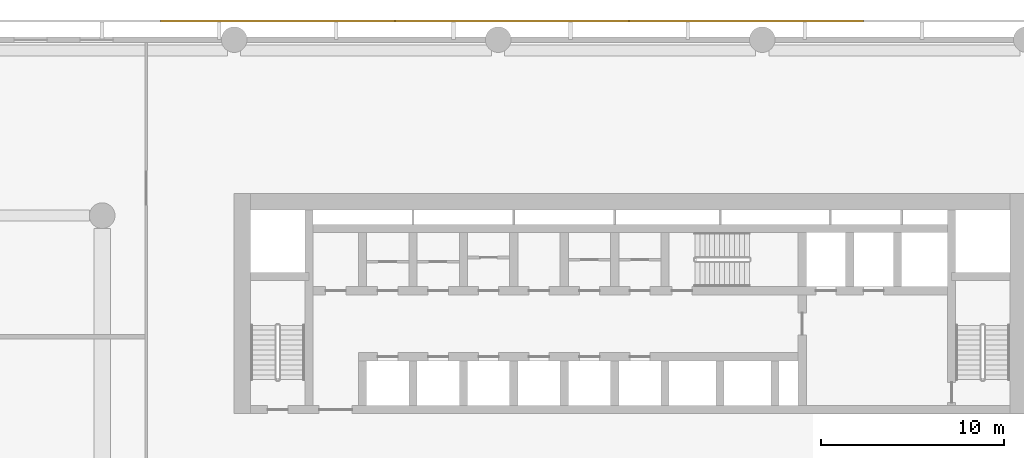
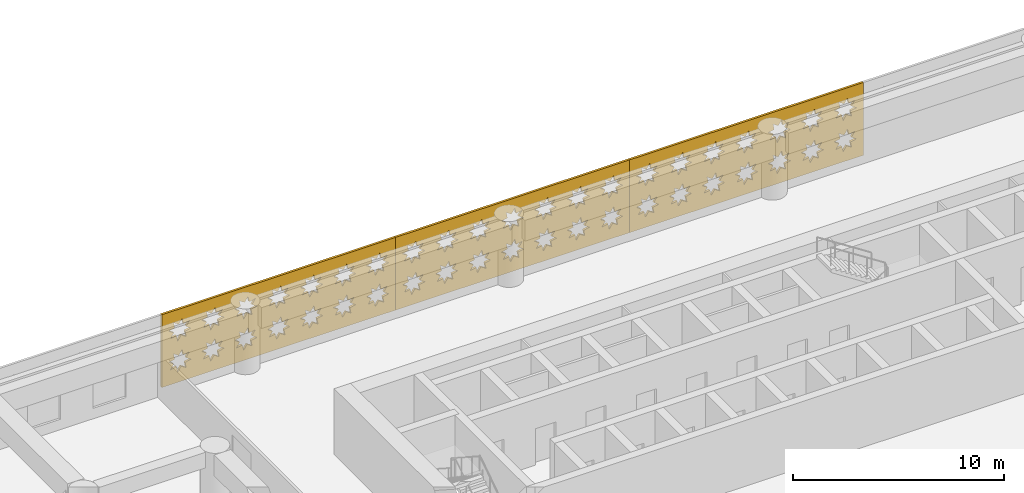
# One storey, part 22 of 24: 3 coverings.
"""IFC4 building model written with IfcOpenShell, lengths in metres."""

from ifc_helpers import new_model, si_unit, direction, frame, origin, place, context, subcontext, project, spatial, polyline, outline, extrude, material, layer, layer_set, type_object, element, save


model = new_model("IFC4")

# Units and contexts
model_context = context("Model", 3, precision=1e-05, world=origin(), true_north=direction((0.0, 1.0)))
body_context = subcontext(model_context, "Body", "Model", "MODEL_VIEW")
ifc_project = project(units=[si_unit("LENGTHUNIT", "METRE"), si_unit("AREAUNIT", "SQUARE_METRE"), si_unit("VOLUMEUNIT", "CUBIC_METRE"), si_unit("PLANEANGLEUNIT", "RADIAN"), si_unit("MASSUNIT", "GRAM", prefix="KILO")], contexts=[model_context])

# Site, building, storey
site_placement = place(None, origin())
site = spatial("IfcSite", under=ifc_project, at=site_placement, CompositionType="ELEMENT")
building_placement = place(site_placement, origin())
building = spatial("IfcBuilding", under=site, at=building_placement, Name="Saffron Iwan Residences", CompositionType="ELEMENT")
storey_placement = place(building_placement, frame((0.0, 0.0, 13.199951171875)))
storey = spatial("IfcBuildingStorey", under=building, at=storey_placement, Name="L02", CompositionType="ELEMENT", Elevation=13.199951171875)

# Coverings
ifc_material = material(Name="Terracotta screen, precast concrete C40/50", Category="masonry")
ifc_layer = layer(ifc_material, 0.1201171875)
ifc_layer_set = layer_set([ifc_layer], Name="Terracotta screen, precast concrete C40/50")
covering_type = type_object("IfcCoveringType", Name="PODIUM SCREEN GIRIH", PredefinedType="CLADDING", material=ifc_layer_set)
covering_1_placement = place(storey_placement, frame((63.117431640625, 87.35009765625, -0.39990234375), z_axis=(0.0, 1.0, 0.0), x_axis=(-1.0, 0.0, 0.0)))
element("IfcCovering", 1, at=covering_1_placement, inside=storey, type_object=covering_type, Name="SCREEN girih terracotta L02 F2.3", PredefinedType="CLADDING", context=body_context, shape_type="SweptSolid", body=[
    extrude(outline(polyline([(0.0, 0.0), (12.777587890625, 0.0), (12.777587890625, 4.199951171875), (0.0, 4.199951171875), (0.0, 0.0)]), holes=[polyline([(1.5966796875, 1.321044921875), (1.271484375, 1.388916015625), (1.333251953125, 1.715576171875), (1.05517578125, 1.533447265625), (0.867919921875, 1.80810546875), (0.7998046875, 1.482666015625), (0.47314453125, 1.54443359375), (0.6552734375, 1.266357421875), (0.380615234375, 1.0791015625), (0.7060546875, 1.010986328125), (0.644287109375, 0.6845703125), (0.92236328125, 0.866455078125), (1.109619140625, 0.591796875), (1.177490234375, 0.917236328125), (1.50439453125, 0.85546875), (1.322265625, 1.1337890625), (1.5966796875, 1.321044921875)]), polyline([(1.5966796875, 3.12109375), (1.271484375, 3.18896484375), (1.333251953125, 3.515380859375), (1.05517578125, 3.33349609375), (0.867919921875, 3.608154296875), (0.7998046875, 3.28271484375), (0.47314453125, 3.344482421875), (0.6552734375, 3.06640625), (0.380615234375, 2.87890625), (0.7060546875, 2.81103515625), (0.644287109375, 2.484619140625), (0.92236328125, 2.66650390625), (1.109619140625, 2.391845703125), (1.177490234375, 2.71728515625), (1.50439453125, 2.655517578125), (1.322265625, 2.93359375), (1.5966796875, 3.12109375)]), polyline([(3.396728515625, 1.321044921875), (3.0712890625, 1.388916015625), (3.13330078125, 1.715576171875), (2.85498046875, 1.533447265625), (2.667724609375, 1.80810546875), (2.599853515625, 1.482666015625), (2.273193359375, 1.54443359375), (2.455322265625, 1.266357421875), (2.1806640625, 1.0791015625), (2.506103515625, 1.010986328125), (2.4443359375, 0.6845703125), (2.722412109375, 0.866455078125), (2.90966796875, 0.591796875), (2.9775390625, 0.917236328125), (3.30419921875, 0.85546875), (3.122314453125, 1.1337890625), (3.396728515625, 1.321044921875)]), polyline([(3.396728515625, 3.12109375), (3.0712890625, 3.18896484375), (3.13330078125, 3.515380859375), (2.85498046875, 3.33349609375), (2.667724609375, 3.608154296875), (2.599853515625, 3.28271484375), (2.273193359375, 3.344482421875), (2.455322265625, 3.06640625), (2.1806640625, 2.87890625), (2.506103515625, 2.81103515625), (2.4443359375, 2.484619140625), (2.722412109375, 2.66650390625), (2.90966796875, 2.391845703125), (2.9775390625, 2.71728515625), (3.30419921875, 2.655517578125), (3.122314453125, 2.93359375), (3.396728515625, 3.12109375)]), polyline([(5.19677734375, 1.321044921875), (4.871337890625, 1.388916015625), (4.93310546875, 1.715576171875), (4.655029296875, 1.533447265625), (4.4677734375, 1.80810546875), (4.39990234375, 1.482666015625), (4.0732421875, 1.54443359375), (4.25537109375, 1.266357421875), (3.980712890625, 1.0791015625), (4.30615234375, 1.010986328125), (4.244384765625, 0.6845703125), (4.5224609375, 0.866455078125), (4.709716796875, 0.591796875), (4.777587890625, 0.917236328125), (5.104248046875, 0.85546875), (4.922119140625, 1.1337890625), (5.19677734375, 1.321044921875)]), polyline([(5.19677734375, 3.12109375), (4.871337890625, 3.18896484375), (4.93310546875, 3.515380859375), (4.655029296875, 3.33349609375), (4.4677734375, 3.608154296875), (4.39990234375, 3.28271484375), (4.0732421875, 3.344482421875), (4.25537109375, 3.06640625), (3.980712890625, 2.87890625), (4.30615234375, 2.81103515625), (4.244384765625, 2.484619140625), (4.5224609375, 2.66650390625), (4.709716796875, 2.391845703125), (4.777587890625, 2.71728515625), (5.104248046875, 2.655517578125), (4.922119140625, 2.93359375), (5.19677734375, 3.12109375)]), polyline([(6.996826171875, 1.321044921875), (6.67138671875, 1.388916015625), (6.733154296875, 1.715576171875), (6.455078125, 1.533447265625), (6.267822265625, 1.80810546875), (6.199951171875, 1.482666015625), (5.873291015625, 1.54443359375), (6.055419921875, 1.266357421875), (5.78076171875, 1.0791015625), (6.106201171875, 1.010986328125), (6.044189453125, 0.6845703125), (6.322509765625, 0.866455078125), (6.509765625, 0.591796875), (6.57763671875, 0.917236328125), (6.904296875, 0.85546875), (6.72216796875, 1.1337890625), (6.996826171875, 1.321044921875)]), polyline([(6.996826171875, 3.12109375), (6.67138671875, 3.18896484375), (6.733154296875, 3.515380859375), (6.455078125, 3.33349609375), (6.267822265625, 3.608154296875), (6.199951171875, 3.28271484375), (5.873291015625, 3.344482421875), (6.055419921875, 3.06640625), (5.78076171875, 2.87890625), (6.106201171875, 2.81103515625), (6.044189453125, 2.484619140625), (6.322509765625, 2.66650390625), (6.509765625, 2.391845703125), (6.57763671875, 2.71728515625), (6.904296875, 2.655517578125), (6.72216796875, 2.93359375), (6.996826171875, 3.12109375)]), polyline([(8.796875, 1.321044921875), (8.471435546875, 1.388916015625), (8.533203125, 1.715576171875), (8.255126953125, 1.533447265625), (8.06787109375, 1.80810546875), (8.0, 1.482666015625), (7.673095703125, 1.54443359375), (7.855224609375, 1.266357421875), (7.580810546875, 1.0791015625), (7.906005859375, 1.010986328125), (7.84423828125, 0.6845703125), (8.122314453125, 0.866455078125), (8.309814453125, 0.591796875), (8.377685546875, 0.917236328125), (8.704345703125, 0.85546875), (8.522216796875, 1.1337890625), (8.796875, 1.321044921875)]), polyline([(8.796875, 3.12109375), (8.471435546875, 3.18896484375), (8.533203125, 3.515380859375), (8.255126953125, 3.33349609375), (8.06787109375, 3.608154296875), (8.0, 3.28271484375), (7.673095703125, 3.344482421875), (7.855224609375, 3.06640625), (7.580810546875, 2.87890625), (7.906005859375, 2.81103515625), (7.84423828125, 2.484619140625), (8.122314453125, 2.66650390625), (8.309814453125, 2.391845703125), (8.377685546875, 2.71728515625), (8.704345703125, 2.655517578125), (8.522216796875, 2.93359375), (8.796875, 3.12109375)]), polyline([(10.5966796875, 1.321044921875), (10.271484375, 1.388916015625), (10.333251953125, 1.715576171875), (10.05517578125, 1.533447265625), (9.867919921875, 1.80810546875), (9.7998046875, 1.482666015625), (9.47314453125, 1.54443359375), (9.6552734375, 1.266357421875), (9.380615234375, 1.0791015625), (9.7060546875, 1.010986328125), (9.644287109375, 0.6845703125), (9.92236328125, 0.866455078125), (10.109619140625, 0.591796875), (10.177490234375, 0.917236328125), (10.50439453125, 0.85546875), (10.322265625, 1.1337890625), (10.5966796875, 1.321044921875)]), polyline([(10.5966796875, 3.12109375), (10.271484375, 3.18896484375), (10.333251953125, 3.515380859375), (10.05517578125, 3.33349609375), (9.867919921875, 3.608154296875), (9.7998046875, 3.28271484375), (9.47314453125, 3.344482421875), (9.6552734375, 3.06640625), (9.380615234375, 2.87890625), (9.7060546875, 2.81103515625), (9.644287109375, 2.484619140625), (9.92236328125, 2.66650390625), (10.109619140625, 2.391845703125), (10.177490234375, 2.71728515625), (10.50439453125, 2.655517578125), (10.322265625, 2.93359375), (10.5966796875, 3.12109375)]), polyline([(12.396728515625, 1.321044921875), (12.0712890625, 1.388916015625), (12.13330078125, 1.715576171875), (11.85498046875, 1.533447265625), (11.667724609375, 1.80810546875), (11.599853515625, 1.482666015625), (11.273193359375, 1.54443359375), (11.455322265625, 1.266357421875), (11.1806640625, 1.0791015625), (11.506103515625, 1.010986328125), (11.4443359375, 0.6845703125), (11.722412109375, 0.866455078125), (11.90966796875, 0.591796875), (11.9775390625, 0.917236328125), (12.30419921875, 0.85546875), (12.122314453125, 1.1337890625), (12.396728515625, 1.321044921875)]), polyline([(12.396728515625, 3.12109375), (12.0712890625, 3.18896484375), (12.13330078125, 3.515380859375), (11.85498046875, 3.33349609375), (11.667724609375, 3.608154296875), (11.599853515625, 3.28271484375), (11.273193359375, 3.344482421875), (11.455322265625, 3.06640625), (11.1806640625, 2.87890625), (11.506103515625, 2.81103515625), (11.4443359375, 2.484619140625), (11.722412109375, 2.66650390625), (11.90966796875, 2.391845703125), (11.9775390625, 2.71728515625), (12.30419921875, 2.655517578125), (12.122314453125, 2.93359375), (12.396728515625, 3.12109375)])]), origin(), (0.0, 0.0, 1.0), 0.119873046875),
])
covering_2_placement = place(storey_placement, frame((50.340087890625, 87.35009765625, -0.39990234375), z_axis=(0.0, 1.0, 0.0), x_axis=(-1.0, 0.0, 0.0)))
element("IfcCovering", 2, at=covering_2_placement, inside=storey, type_object=covering_type, Name="SCREEN girih terracotta L02 F2.4", PredefinedType="CLADDING", context=body_context, shape_type="SweptSolid", body=[
    extrude(outline(polyline([(0.0, 0.0), (12.777587890625, 0.0), (12.777587890625, 4.199951171875), (0.0, 4.199951171875), (0.0, 0.0)]), holes=[polyline([(1.5966796875, 1.321044921875), (1.271484375, 1.388916015625), (1.333251953125, 1.715576171875), (1.05517578125, 1.533447265625), (0.867919921875, 1.80810546875), (0.7998046875, 1.482666015625), (0.47314453125, 1.54443359375), (0.6552734375, 1.266357421875), (0.380615234375, 1.0791015625), (0.7060546875, 1.010986328125), (0.644287109375, 0.6845703125), (0.92236328125, 0.866455078125), (1.109619140625, 0.591796875), (1.177490234375, 0.917236328125), (1.50439453125, 0.85546875), (1.322265625, 1.1337890625), (1.5966796875, 1.321044921875)]), polyline([(1.5966796875, 3.12109375), (1.271484375, 3.18896484375), (1.333251953125, 3.515380859375), (1.05517578125, 3.33349609375), (0.867919921875, 3.608154296875), (0.7998046875, 3.28271484375), (0.47314453125, 3.344482421875), (0.6552734375, 3.06640625), (0.380615234375, 2.87890625), (0.7060546875, 2.81103515625), (0.644287109375, 2.484619140625), (0.92236328125, 2.66650390625), (1.109619140625, 2.391845703125), (1.177490234375, 2.71728515625), (1.50439453125, 2.655517578125), (1.322265625, 2.93359375), (1.5966796875, 3.12109375)]), polyline([(3.396728515625, 1.321044921875), (3.0712890625, 1.388916015625), (3.13330078125, 1.715576171875), (2.85498046875, 1.533447265625), (2.667724609375, 1.80810546875), (2.599853515625, 1.482666015625), (2.273193359375, 1.54443359375), (2.455322265625, 1.266357421875), (2.1806640625, 1.0791015625), (2.506103515625, 1.010986328125), (2.4443359375, 0.6845703125), (2.722412109375, 0.866455078125), (2.90966796875, 0.591796875), (2.9775390625, 0.917236328125), (3.30419921875, 0.85546875), (3.122314453125, 1.1337890625), (3.396728515625, 1.321044921875)]), polyline([(3.396728515625, 3.12109375), (3.0712890625, 3.18896484375), (3.13330078125, 3.515380859375), (2.85498046875, 3.33349609375), (2.667724609375, 3.608154296875), (2.599853515625, 3.28271484375), (2.273193359375, 3.344482421875), (2.455322265625, 3.06640625), (2.1806640625, 2.87890625), (2.506103515625, 2.81103515625), (2.4443359375, 2.484619140625), (2.722412109375, 2.66650390625), (2.90966796875, 2.391845703125), (2.9775390625, 2.71728515625), (3.30419921875, 2.655517578125), (3.122314453125, 2.93359375), (3.396728515625, 3.12109375)]), polyline([(5.19677734375, 1.321044921875), (4.871337890625, 1.388916015625), (4.93310546875, 1.715576171875), (4.655029296875, 1.533447265625), (4.4677734375, 1.80810546875), (4.39990234375, 1.482666015625), (4.0732421875, 1.54443359375), (4.25537109375, 1.266357421875), (3.980712890625, 1.0791015625), (4.30615234375, 1.010986328125), (4.244384765625, 0.6845703125), (4.5224609375, 0.866455078125), (4.709716796875, 0.591796875), (4.777587890625, 0.917236328125), (5.104248046875, 0.85546875), (4.922119140625, 1.1337890625), (5.19677734375, 1.321044921875)]), polyline([(5.19677734375, 3.12109375), (4.871337890625, 3.18896484375), (4.93310546875, 3.515380859375), (4.655029296875, 3.33349609375), (4.4677734375, 3.608154296875), (4.39990234375, 3.28271484375), (4.0732421875, 3.344482421875), (4.25537109375, 3.06640625), (3.980712890625, 2.87890625), (4.30615234375, 2.81103515625), (4.244384765625, 2.484619140625), (4.5224609375, 2.66650390625), (4.709716796875, 2.391845703125), (4.777587890625, 2.71728515625), (5.104248046875, 2.655517578125), (4.922119140625, 2.93359375), (5.19677734375, 3.12109375)]), polyline([(6.996826171875, 1.321044921875), (6.67138671875, 1.388916015625), (6.733154296875, 1.715576171875), (6.455078125, 1.533447265625), (6.267822265625, 1.80810546875), (6.199951171875, 1.482666015625), (5.873291015625, 1.54443359375), (6.055419921875, 1.266357421875), (5.78076171875, 1.0791015625), (6.106201171875, 1.010986328125), (6.044189453125, 0.6845703125), (6.322509765625, 0.866455078125), (6.509765625, 0.591796875), (6.57763671875, 0.917236328125), (6.904296875, 0.85546875), (6.72216796875, 1.1337890625), (6.996826171875, 1.321044921875)]), polyline([(6.996826171875, 3.12109375), (6.67138671875, 3.18896484375), (6.733154296875, 3.515380859375), (6.455078125, 3.33349609375), (6.267822265625, 3.608154296875), (6.199951171875, 3.28271484375), (5.873291015625, 3.344482421875), (6.055419921875, 3.06640625), (5.78076171875, 2.87890625), (6.106201171875, 2.81103515625), (6.044189453125, 2.484619140625), (6.322509765625, 2.66650390625), (6.509765625, 2.391845703125), (6.57763671875, 2.71728515625), (6.904296875, 2.655517578125), (6.72216796875, 2.93359375), (6.996826171875, 3.12109375)]), polyline([(8.796875, 1.321044921875), (8.471435546875, 1.388916015625), (8.533203125, 1.715576171875), (8.255126953125, 1.533447265625), (8.06787109375, 1.80810546875), (8.0, 1.482666015625), (7.673095703125, 1.54443359375), (7.855224609375, 1.266357421875), (7.580810546875, 1.0791015625), (7.906005859375, 1.010986328125), (7.84423828125, 0.6845703125), (8.122314453125, 0.866455078125), (8.309814453125, 0.591796875), (8.377685546875, 0.917236328125), (8.704345703125, 0.85546875), (8.522216796875, 1.1337890625), (8.796875, 1.321044921875)]), polyline([(8.796875, 3.12109375), (8.471435546875, 3.18896484375), (8.533203125, 3.515380859375), (8.255126953125, 3.33349609375), (8.06787109375, 3.608154296875), (8.0, 3.28271484375), (7.673095703125, 3.344482421875), (7.855224609375, 3.06640625), (7.580810546875, 2.87890625), (7.906005859375, 2.81103515625), (7.84423828125, 2.484619140625), (8.122314453125, 2.66650390625), (8.309814453125, 2.391845703125), (8.377685546875, 2.71728515625), (8.704345703125, 2.655517578125), (8.522216796875, 2.93359375), (8.796875, 3.12109375)]), polyline([(10.5966796875, 1.321044921875), (10.271484375, 1.388916015625), (10.333251953125, 1.715576171875), (10.05517578125, 1.533447265625), (9.867919921875, 1.80810546875), (9.7998046875, 1.482666015625), (9.47314453125, 1.54443359375), (9.6552734375, 1.266357421875), (9.380615234375, 1.0791015625), (9.7060546875, 1.010986328125), (9.644287109375, 0.6845703125), (9.92236328125, 0.866455078125), (10.109619140625, 0.591796875), (10.177490234375, 0.917236328125), (10.50439453125, 0.85546875), (10.322265625, 1.1337890625), (10.5966796875, 1.321044921875)]), polyline([(10.5966796875, 3.12109375), (10.271484375, 3.18896484375), (10.333251953125, 3.515380859375), (10.05517578125, 3.33349609375), (9.867919921875, 3.608154296875), (9.7998046875, 3.28271484375), (9.47314453125, 3.344482421875), (9.6552734375, 3.06640625), (9.380615234375, 2.87890625), (9.7060546875, 2.81103515625), (9.644287109375, 2.484619140625), (9.92236328125, 2.66650390625), (10.109619140625, 2.391845703125), (10.177490234375, 2.71728515625), (10.50439453125, 2.655517578125), (10.322265625, 2.93359375), (10.5966796875, 3.12109375)]), polyline([(12.396728515625, 1.321044921875), (12.0712890625, 1.388916015625), (12.13330078125, 1.715576171875), (11.85498046875, 1.533447265625), (11.667724609375, 1.80810546875), (11.599853515625, 1.482666015625), (11.273193359375, 1.54443359375), (11.455322265625, 1.266357421875), (11.1806640625, 1.0791015625), (11.506103515625, 1.010986328125), (11.4443359375, 0.6845703125), (11.722412109375, 0.866455078125), (11.90966796875, 0.591796875), (11.9775390625, 0.917236328125), (12.30419921875, 0.85546875), (12.122314453125, 1.1337890625), (12.396728515625, 1.321044921875)]), polyline([(12.396728515625, 3.12109375), (12.0712890625, 3.18896484375), (12.13330078125, 3.515380859375), (11.85498046875, 3.33349609375), (11.667724609375, 3.608154296875), (11.599853515625, 3.28271484375), (11.273193359375, 3.344482421875), (11.455322265625, 3.06640625), (11.1806640625, 2.87890625), (11.506103515625, 2.81103515625), (11.4443359375, 2.484619140625), (11.722412109375, 2.66650390625), (11.90966796875, 2.391845703125), (11.9775390625, 2.71728515625), (12.30419921875, 2.655517578125), (12.122314453125, 2.93359375), (12.396728515625, 3.12109375)])]), origin(), (0.0, 0.0, 1.0), 0.119873046875),
])
covering_3_placement = place(storey_placement, frame((37.5625, 87.35009765625, -0.39990234375), z_axis=(0.0, 1.0, 0.0), x_axis=(-1.0, 0.0, 0.0)))
element("IfcCovering", 3, at=covering_3_placement, inside=storey, type_object=covering_type, Name="SCREEN girih terracotta L02 F2.5", PredefinedType="CLADDING", context=body_context, shape_type="SweptSolid", body=[
    extrude(outline(polyline([(0.0, 0.0), (12.777587890625, 0.0), (12.777587890625, 4.199951171875), (0.0, 4.199951171875), (0.0, 0.0)]), holes=[polyline([(1.5966796875, 1.321044921875), (1.271484375, 1.388916015625), (1.333251953125, 1.715576171875), (1.05517578125, 1.533447265625), (0.867919921875, 1.80810546875), (0.7998046875, 1.482666015625), (0.47314453125, 1.54443359375), (0.6552734375, 1.266357421875), (0.380615234375, 1.0791015625), (0.7060546875, 1.010986328125), (0.644287109375, 0.6845703125), (0.92236328125, 0.866455078125), (1.109619140625, 0.591796875), (1.177490234375, 0.917236328125), (1.50439453125, 0.85546875), (1.322265625, 1.1337890625), (1.5966796875, 1.321044921875)]), polyline([(1.5966796875, 3.12109375), (1.271484375, 3.18896484375), (1.333251953125, 3.515380859375), (1.05517578125, 3.33349609375), (0.867919921875, 3.608154296875), (0.7998046875, 3.28271484375), (0.47314453125, 3.344482421875), (0.6552734375, 3.06640625), (0.380615234375, 2.87890625), (0.7060546875, 2.81103515625), (0.644287109375, 2.484619140625), (0.92236328125, 2.66650390625), (1.109619140625, 2.391845703125), (1.177490234375, 2.71728515625), (1.50439453125, 2.655517578125), (1.322265625, 2.93359375), (1.5966796875, 3.12109375)]), polyline([(3.396728515625, 1.321044921875), (3.0712890625, 1.388916015625), (3.13330078125, 1.715576171875), (2.85498046875, 1.533447265625), (2.667724609375, 1.80810546875), (2.599853515625, 1.482666015625), (2.273193359375, 1.54443359375), (2.455322265625, 1.266357421875), (2.1806640625, 1.0791015625), (2.506103515625, 1.010986328125), (2.4443359375, 0.6845703125), (2.722412109375, 0.866455078125), (2.90966796875, 0.591796875), (2.9775390625, 0.917236328125), (3.30419921875, 0.85546875), (3.122314453125, 1.1337890625), (3.396728515625, 1.321044921875)]), polyline([(3.396728515625, 3.12109375), (3.0712890625, 3.18896484375), (3.13330078125, 3.515380859375), (2.85498046875, 3.33349609375), (2.667724609375, 3.608154296875), (2.599853515625, 3.28271484375), (2.273193359375, 3.344482421875), (2.455322265625, 3.06640625), (2.1806640625, 2.87890625), (2.506103515625, 2.81103515625), (2.4443359375, 2.484619140625), (2.722412109375, 2.66650390625), (2.90966796875, 2.391845703125), (2.9775390625, 2.71728515625), (3.30419921875, 2.655517578125), (3.122314453125, 2.93359375), (3.396728515625, 3.12109375)]), polyline([(5.19677734375, 1.321044921875), (4.871337890625, 1.388916015625), (4.93310546875, 1.715576171875), (4.655029296875, 1.533447265625), (4.4677734375, 1.80810546875), (4.39990234375, 1.482666015625), (4.0732421875, 1.54443359375), (4.25537109375, 1.266357421875), (3.980712890625, 1.0791015625), (4.30615234375, 1.010986328125), (4.244384765625, 0.6845703125), (4.5224609375, 0.866455078125), (4.709716796875, 0.591796875), (4.777587890625, 0.917236328125), (5.104248046875, 0.85546875), (4.922119140625, 1.1337890625), (5.19677734375, 1.321044921875)]), polyline([(5.19677734375, 3.12109375), (4.871337890625, 3.18896484375), (4.93310546875, 3.515380859375), (4.655029296875, 3.33349609375), (4.4677734375, 3.608154296875), (4.39990234375, 3.28271484375), (4.0732421875, 3.344482421875), (4.25537109375, 3.06640625), (3.980712890625, 2.87890625), (4.30615234375, 2.81103515625), (4.244384765625, 2.484619140625), (4.5224609375, 2.66650390625), (4.709716796875, 2.391845703125), (4.777587890625, 2.71728515625), (5.104248046875, 2.655517578125), (4.922119140625, 2.93359375), (5.19677734375, 3.12109375)]), polyline([(6.996826171875, 1.321044921875), (6.67138671875, 1.388916015625), (6.733154296875, 1.715576171875), (6.455078125, 1.533447265625), (6.267822265625, 1.80810546875), (6.199951171875, 1.482666015625), (5.873291015625, 1.54443359375), (6.055419921875, 1.266357421875), (5.78076171875, 1.0791015625), (6.106201171875, 1.010986328125), (6.044189453125, 0.6845703125), (6.322509765625, 0.866455078125), (6.509765625, 0.591796875), (6.57763671875, 0.917236328125), (6.904296875, 0.85546875), (6.72216796875, 1.1337890625), (6.996826171875, 1.321044921875)]), polyline([(6.996826171875, 3.12109375), (6.67138671875, 3.18896484375), (6.733154296875, 3.515380859375), (6.455078125, 3.33349609375), (6.267822265625, 3.608154296875), (6.199951171875, 3.28271484375), (5.873291015625, 3.344482421875), (6.055419921875, 3.06640625), (5.78076171875, 2.87890625), (6.106201171875, 2.81103515625), (6.044189453125, 2.484619140625), (6.322509765625, 2.66650390625), (6.509765625, 2.391845703125), (6.57763671875, 2.71728515625), (6.904296875, 2.655517578125), (6.72216796875, 2.93359375), (6.996826171875, 3.12109375)]), polyline([(8.796875, 1.321044921875), (8.471435546875, 1.388916015625), (8.533203125, 1.715576171875), (8.255126953125, 1.533447265625), (8.06787109375, 1.80810546875), (8.0, 1.482666015625), (7.673095703125, 1.54443359375), (7.855224609375, 1.266357421875), (7.580810546875, 1.0791015625), (7.906005859375, 1.010986328125), (7.84423828125, 0.6845703125), (8.122314453125, 0.866455078125), (8.309814453125, 0.591796875), (8.377685546875, 0.917236328125), (8.704345703125, 0.85546875), (8.522216796875, 1.1337890625), (8.796875, 1.321044921875)]), polyline([(8.796875, 3.12109375), (8.471435546875, 3.18896484375), (8.533203125, 3.515380859375), (8.255126953125, 3.33349609375), (8.06787109375, 3.608154296875), (8.0, 3.28271484375), (7.673095703125, 3.344482421875), (7.855224609375, 3.06640625), (7.580810546875, 2.87890625), (7.906005859375, 2.81103515625), (7.84423828125, 2.484619140625), (8.122314453125, 2.66650390625), (8.309814453125, 2.391845703125), (8.377685546875, 2.71728515625), (8.704345703125, 2.655517578125), (8.522216796875, 2.93359375), (8.796875, 3.12109375)]), polyline([(10.5966796875, 1.321044921875), (10.271484375, 1.388916015625), (10.333251953125, 1.715576171875), (10.05517578125, 1.533447265625), (9.867919921875, 1.80810546875), (9.7998046875, 1.482666015625), (9.47314453125, 1.54443359375), (9.6552734375, 1.266357421875), (9.380615234375, 1.0791015625), (9.7060546875, 1.010986328125), (9.644287109375, 0.6845703125), (9.92236328125, 0.866455078125), (10.109619140625, 0.591796875), (10.177490234375, 0.917236328125), (10.50439453125, 0.85546875), (10.322265625, 1.1337890625), (10.5966796875, 1.321044921875)]), polyline([(10.5966796875, 3.12109375), (10.271484375, 3.18896484375), (10.333251953125, 3.515380859375), (10.05517578125, 3.33349609375), (9.867919921875, 3.608154296875), (9.7998046875, 3.28271484375), (9.47314453125, 3.344482421875), (9.6552734375, 3.06640625), (9.380615234375, 2.87890625), (9.7060546875, 2.81103515625), (9.644287109375, 2.484619140625), (9.92236328125, 2.66650390625), (10.109619140625, 2.391845703125), (10.177490234375, 2.71728515625), (10.50439453125, 2.655517578125), (10.322265625, 2.93359375), (10.5966796875, 3.12109375)]), polyline([(12.396728515625, 1.321044921875), (12.0712890625, 1.388916015625), (12.13330078125, 1.715576171875), (11.85498046875, 1.533447265625), (11.667724609375, 1.80810546875), (11.599853515625, 1.482666015625), (11.273193359375, 1.54443359375), (11.455322265625, 1.266357421875), (11.1806640625, 1.0791015625), (11.506103515625, 1.010986328125), (11.4443359375, 0.6845703125), (11.722412109375, 0.866455078125), (11.90966796875, 0.591796875), (11.9775390625, 0.917236328125), (12.30419921875, 0.85546875), (12.122314453125, 1.1337890625), (12.396728515625, 1.321044921875)]), polyline([(12.396728515625, 3.12109375), (12.0712890625, 3.18896484375), (12.13330078125, 3.515380859375), (11.85498046875, 3.33349609375), (11.667724609375, 3.608154296875), (11.599853515625, 3.28271484375), (11.273193359375, 3.344482421875), (11.455322265625, 3.06640625), (11.1806640625, 2.87890625), (11.506103515625, 2.81103515625), (11.4443359375, 2.484619140625), (11.722412109375, 2.66650390625), (11.90966796875, 2.391845703125), (11.9775390625, 2.71728515625), (12.30419921875, 2.655517578125), (12.122314453125, 2.93359375), (12.396728515625, 3.12109375)])]), origin(), (0.0, 0.0, 1.0), 0.119873046875),
])

save(model, "model.ifc")
